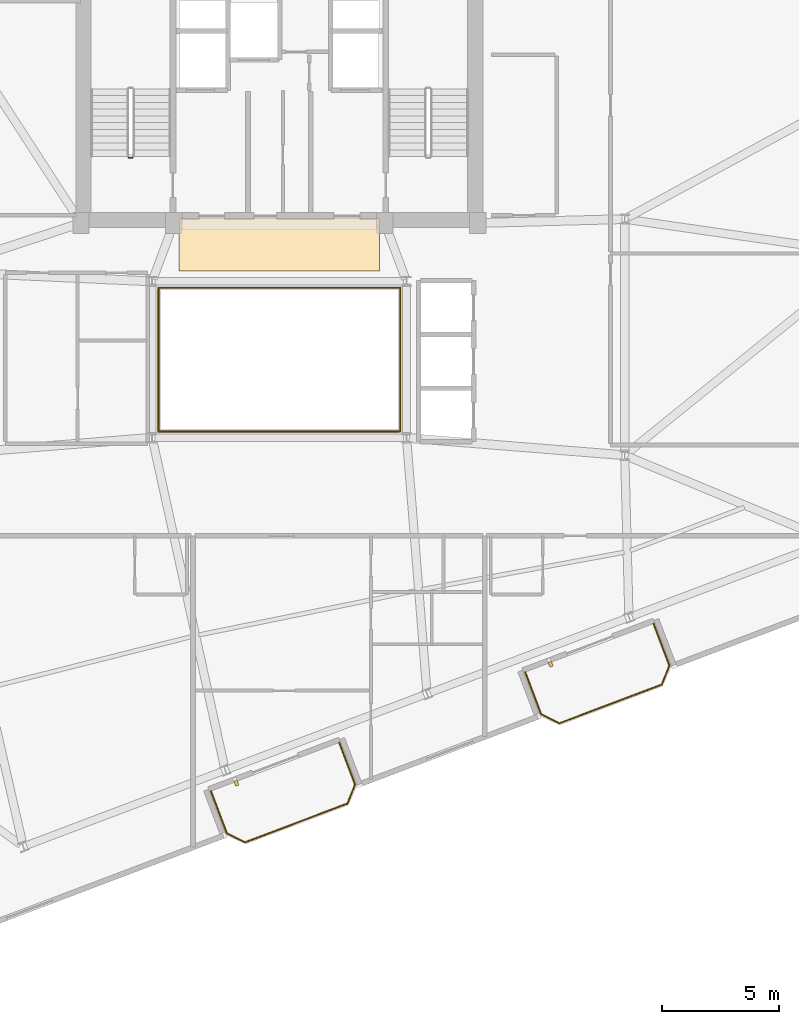
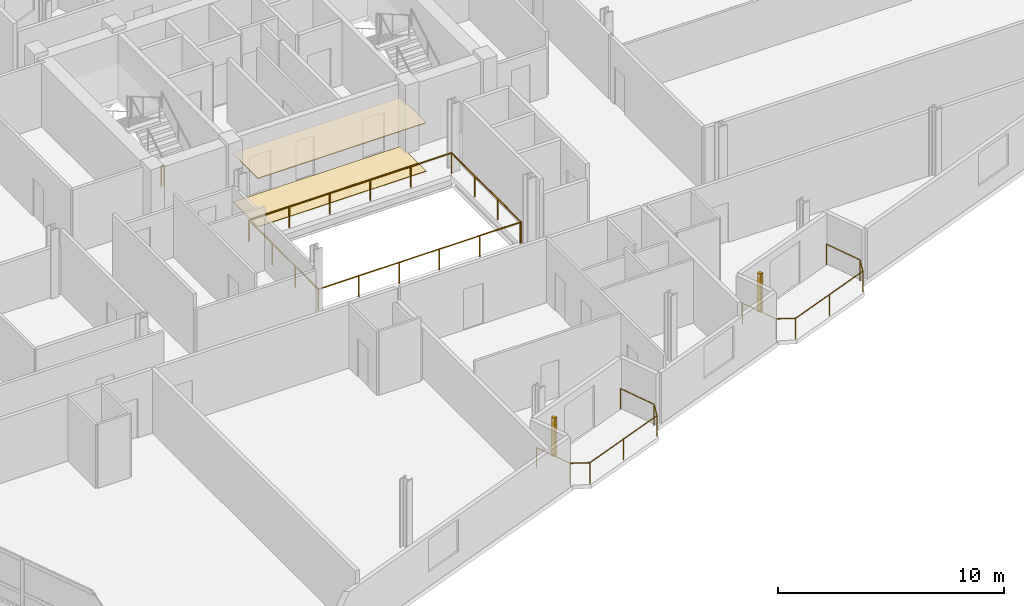
# One storey, part 18 of 19: 5 railings, 2 coverings, 2 shading devices.
"""IFC4 building model written with IfcOpenShell, lengths in metres."""

from ifc_helpers import new_model, si_unit, direction, frame, origin, origin_2d, place, context, subcontext, project, spatial, rectangle, circle, extrude, source, transform, mapped, material, layer, layer_set, type_object, element, save


model = new_model("IFC4")

# Units and contexts
model_context = context("Model", 3, precision=1e-05, world=origin(), true_north=direction((0.0, 1.0)))
body_context = subcontext(model_context, "Body", "Model", "MODEL_VIEW")
ifc_project = project(units=[si_unit("LENGTHUNIT", "METRE"), si_unit("AREAUNIT", "SQUARE_METRE"), si_unit("VOLUMEUNIT", "CUBIC_METRE"), si_unit("PLANEANGLEUNIT", "RADIAN"), si_unit("MASSUNIT", "GRAM", prefix="KILO")], contexts=[model_context])

# Site, building, storey
site_placement = place(None, origin())
site = spatial("IfcSite", under=ifc_project, at=site_placement, CompositionType="ELEMENT")
building_placement = place(site_placement, origin())
building = spatial("IfcBuilding", under=site, at=building_placement, Name="Varnelok Gate Tower", CompositionType="ELEMENT")
storey_placement = place(building_placement, frame((0.0, 0.0, 231.199951171875)))
storey = spatial("IfcBuildingStorey", under=building, at=storey_placement, Name="L59", CompositionType="ELEMENT", Elevation=231.199951171875)

# Railings
ifc_material_1 = material(Name="Tempered Laminated Balustrade Glass", Category="glass")
railing_type_1 = type_object("IfcRailingType", Name="RL-ATR-GUARD1150", PredefinedType="GUARDRAIL", material=ifc_material_1)
railing_1_placement = place(storey_placement, frame((34.02001953125, 25.929931640625, 0.0)))
element("IfcRailing", 1, at=railing_1_placement, inside=storey, type_object=railing_type_1, Name="L59 Internal Atrium South-West Guardrail", PredefinedType="GUARDRAIL", context=body_context, shape_type="SweptSolid", body=[
    extrude(circle(Radius=0.02392578125, at=origin_2d()), frame((0.0, 0.0, 1.1259765625), z_axis=(0.0, -1.0, 0.0), x_axis=(1.0, 0.0, 0.0)), (0.0, 0.0, 1.0), 6.10986328125),
    extrude(circle(Radius=0.02392578125, at=origin_2d()), frame((0.0, -6.10986328125, 1.1259765625), z_axis=(1.0, 0.0, 0.0), x_axis=(0.0, 1.0, 0.0)), (0.0, 0.0, 1.0), 10.31005859375),
    extrude(circle(Radius=0.02099609375, at=origin_2d()), origin(), (0.0, 0.0, 1.0), 1.101806640625),
    extrude(circle(Radius=0.02099609375, at=origin_2d()), frame((0.0, -2.03662109375, 0.0)), (0.0, 0.0, 1.0), 1.101806640625),
    extrude(circle(Radius=0.02099609375, at=origin_2d()), frame((0.0, -4.0732421875, 0.0)), (0.0, 0.0, 1.0), 1.101806640625),
    extrude(circle(Radius=0.02099609375, at=origin_2d()), frame((0.0, -6.10986328125, 0.0)), (0.0, 0.0, 1.0), 1.101806640625),
    extrude(circle(Radius=0.02099609375, at=origin_2d()), frame((2.06201171875, -6.10986328125, 0.0)), (0.0, 0.0, 1.0), 1.101806640625),
    extrude(circle(Radius=0.02099609375, at=origin_2d()), frame((4.1240234375, -6.10986328125, 0.0)), (0.0, 0.0, 1.0), 1.101806640625),
    extrude(circle(Radius=0.02099609375, at=origin_2d()), frame((6.18603515625, -6.10986328125, 0.0)), (0.0, 0.0, 1.0), 1.101806640625),
    extrude(circle(Radius=0.02099609375, at=origin_2d()), frame((8.248046875, -6.10986328125, 0.0)), (0.0, 0.0, 1.0), 1.101806640625),
    extrude(circle(Radius=0.02099609375, at=origin_2d()), frame((10.31005859375, -6.10986328125, 0.0)), (0.0, 0.0, 1.0), 1.101806640625),
])
railing_2_placement = place(storey_placement, frame((44.3798828125, 19.820068359375, 0.0)))
element("IfcRailing", 2, at=railing_2_placement, inside=storey, type_object=railing_type_1, Name="L59 Internal Atrium North-East Guardrail", PredefinedType="GUARDRAIL", context=body_context, shape_type="SweptSolid", body=[
    extrude(circle(Radius=0.02392578125, at=origin_2d()), frame((0.0, 0.0, 1.1259765625), z_axis=(0.0, 1.0, 0.0), x_axis=(-1.0, 0.0, 0.0)), (0.0, 0.0, 1.0), 6.159912109375),
    extrude(circle(Radius=0.02392578125, at=origin_2d()), frame((0.0, 6.159912109375, 1.1259765625), z_axis=(-1.0, 0.0, 0.0), x_axis=(0.0, -1.0, 0.0)), (0.0, 0.0, 1.0), 10.35986328125),
    extrude(circle(Radius=0.02099609375, at=origin_2d()), origin(), (0.0, 0.0, 1.0), 1.101806640625),
    extrude(circle(Radius=0.02099609375, at=origin_2d()), frame((0.0, 2.05322265625, 0.0)), (0.0, 0.0, 1.0), 1.101806640625),
    extrude(circle(Radius=0.02099609375, at=origin_2d()), frame((0.0, 4.106689453125, 0.0)), (0.0, 0.0, 1.0), 1.101806640625),
    extrude(circle(Radius=0.02099609375, at=origin_2d()), frame((0.0, 6.159912109375, 0.0)), (0.0, 0.0, 1.0), 1.101806640625),
    extrude(circle(Radius=0.02099609375, at=origin_2d()), frame((-2.072021484375, 6.159912109375, 0.0)), (0.0, 0.0, 1.0), 1.101806640625),
    extrude(circle(Radius=0.02099609375, at=origin_2d()), frame((-4.14404296875, 6.159912109375, 0.0)), (0.0, 0.0, 1.0), 1.101806640625),
    extrude(circle(Radius=0.02099609375, at=origin_2d()), frame((-6.2158203125, 6.159912109375, 0.0)), (0.0, 0.0, 1.0), 1.101806640625),
    extrude(circle(Radius=0.02099609375, at=origin_2d()), frame((-8.287841796875, 6.159912109375, 0.0)), (0.0, 0.0, 1.0), 1.101806640625),
    extrude(circle(Radius=0.02099609375, at=origin_2d()), frame((-10.35986328125, 6.159912109375, 0.0)), (0.0, 0.0, 1.0), 1.101806640625),
])
ifc_material_2 = material(Name="Low-E Laminated Double Glazing IGU", Category="glass")
railing_type_2 = type_object("IfcRailingType", Name="RL-BALC-1150", PredefinedType="BALUSTRADE", material=ifc_material_2)
railing_3_placement = place(storey_placement, frame((36.26708984375, 4.408203125, 0.0)))
element("IfcRailing", 3, at=railing_3_placement, inside=storey, type_object=railing_type_2, Name="L59 South Terrace Balustrade 1", PredefinedType="BALUSTRADE", context=body_context, shape_type="SweptSolid", body=[
    extrude(circle(Radius=0.02392578125, at=origin_2d()), frame((0.0, 0.0, 1.1259765625), z_axis=(0.354006333352, -0.935243025073, 0.0), x_axis=(0.935243025073, 0.354006333352, 0.0)), (0.0, 0.0, 1.0), 1.919921875),
    extrude(circle(Radius=0.02392578125, at=origin_2d()), frame((0.6796875, -1.795654296875, 1.1259765625), z_axis=(0.89078254773, -0.454429810487, 0.0), x_axis=(0.454429810487, 0.89078254773, 0.0)), (0.0, 0.0, 1.0), 0.8779296875),
    extrude(circle(Radius=0.02392578125, at=origin_2d()), frame((1.461669921875, -2.194580078125, 1.1259765625), z_axis=(0.935223045203, 0.354059113314, 0.0), x_axis=(-0.354059113314, 0.935223045203, 0.0)), (0.0, 0.0, 1.0), 4.699951171875),
    extrude(circle(Radius=0.02392578125, at=origin_2d()), frame((5.857177734375, -0.530517578125, 1.1259765625), z_axis=(0.366254584666, 0.930514685113, 0.0), x_axis=(-0.930514685113, 0.366254584666, 0.0)), (0.0, 0.0, 1.0), 0.8779296875),
    extrude(circle(Radius=0.02392578125, at=origin_2d()), frame((6.1787109375, 0.286376953125, 1.1259765625), z_axis=(-0.354048437536, 0.935227086797, 0.0), x_axis=(-0.935227086797, -0.354048437536, 0.0)), (0.0, 0.0, 1.0), 1.919677734375),
    extrude(circle(Radius=0.02099609375, at=origin_2d()), origin(), (0.0, 0.0, 1.0), 1.101806640625),
    extrude(circle(Radius=0.02099609375, at=origin_2d()), frame((0.6796875, -1.795654296875, 0.0)), (0.0, 0.0, 1.0), 1.101806640625),
    extrude(circle(Radius=0.02099609375, at=origin_2d()), frame((1.461669921875, -2.194580078125, 0.0)), (0.0, 0.0, 1.0), 1.101806640625),
    extrude(circle(Radius=0.02099609375, at=origin_2d()), frame((3.659423828125, -1.362548828125, 0.0)), (0.0, 0.0, 1.0), 1.101806640625),
    extrude(circle(Radius=0.02099609375, at=origin_2d()), frame((5.857177734375, -0.530517578125, 0.0)), (0.0, 0.0, 1.0), 1.101806640625),
    extrude(circle(Radius=0.02099609375, at=origin_2d()), frame((6.1787109375, 0.286376953125, 0.0)), (0.0, 0.0, 1.0), 1.101806640625),
    extrude(circle(Radius=0.02099609375, at=origin_2d()), frame((5.4990234375, 2.081787109375, 0.0)), (0.0, 0.0, 1.0), 1.101806640625),
])
railing_4_placement = place(storey_placement, frame((49.734130859375, 9.506591796875, 0.0)))
element("IfcRailing", 4, at=railing_4_placement, inside=storey, type_object=railing_type_2, Name="L59 South Terrace Balustrade 2", PredefinedType="BALUSTRADE", context=body_context, shape_type="SweptSolid", body=[
    extrude(circle(Radius=0.02392578125, at=origin_2d()), frame((0.0, 0.0, 1.1259765625), z_axis=(0.354159661475, -0.935184973245, 0.0), x_axis=(0.935184973245, 0.354159661475, 0.0)), (0.0, 0.0, 1.0), 1.919921875),
    extrude(circle(Radius=0.02392578125, at=origin_2d()), frame((0.679931640625, -1.79541015625, 1.1259765625), z_axis=(0.890612455555, -0.454763074589, 0.0), x_axis=(0.454763074589, 0.890612455555, 0.0)), (0.0, 0.0, 1.0), 0.877685546875),
    extrude(circle(Radius=0.02392578125, at=origin_2d()), frame((1.461669921875, -2.194580078125, 1.1259765625), z_axis=(0.935212356898, 0.354087344458, 0.0), x_axis=(-0.354087344458, 0.935212356898, 0.0)), (0.0, 0.0, 1.0), 4.7001953125),
    extrude(circle(Radius=0.02392578125, at=origin_2d()), frame((5.857421875, -0.5302734375, 1.1259765625), z_axis=(0.366349384437, 0.930477365938, 0.0), x_axis=(-0.930477365938, 0.366349384437, 0.0)), (0.0, 0.0, 1.0), 0.877685546875),
    extrude(circle(Radius=0.02392578125, at=origin_2d()), frame((6.178955078125, 0.286376953125, 1.1259765625), z_axis=(-0.354006333352, 0.935243025073, 0.0), x_axis=(-0.935243025073, -0.354006333352, 0.0)), (0.0, 0.0, 1.0), 1.919921875),
    extrude(circle(Radius=0.02099609375, at=origin_2d()), origin(), (0.0, 0.0, 1.0), 1.101806640625),
    extrude(circle(Radius=0.02099609375, at=origin_2d()), frame((0.679931640625, -1.79541015625, 0.0)), (0.0, 0.0, 1.0), 1.101806640625),
    extrude(circle(Radius=0.02099609375, at=origin_2d()), frame((1.461669921875, -2.194580078125, 0.0)), (0.0, 0.0, 1.0), 1.101806640625),
    extrude(circle(Radius=0.02099609375, at=origin_2d()), frame((3.65966796875, -1.3623046875, 0.0)), (0.0, 0.0, 1.0), 1.101806640625),
    extrude(circle(Radius=0.02099609375, at=origin_2d()), frame((5.857421875, -0.5302734375, 0.0)), (0.0, 0.0, 1.0), 1.101806640625),
    extrude(circle(Radius=0.02099609375, at=origin_2d()), frame((6.178955078125, 0.286376953125, 0.0)), (0.0, 0.0, 1.0), 1.101806640625),
    extrude(circle(Radius=0.02099609375, at=origin_2d()), frame((5.499267578125, 2.08203125, 0.0)), (0.0, 0.0, 1.0), 1.101806640625),
])
ifc_material_3 = material(Name="Galvanized Steel Grade S350GD", Category="steel")
railing_type_3 = type_object("IfcRailingType", Name="RL-STAIR-GUARD1120", PredefinedType="GUARDRAIL", material=ifc_material_3)
railing_5_placement = place(storey_placement, frame((32.89990234375, 31.550048828125, 0.0)))
element("IfcRailing", 5, at=railing_5_placement, inside=storey, type_object=railing_type_3, Name="L59 ST-1 stair guard 4", PredefinedType="GUARDRAIL", context=body_context, shape_type="SweptSolid", body=[
    extrude(circle(Radius=0.02392578125, at=origin_2d()), frame((0.0, 0.0, 1.09619140625), z_axis=(-1.0, 0.0, 0.0), x_axis=(0.0, -1.0, 0.0)), (0.0, 0.0, 1.0), 0.14990234375),
    extrude(circle(Radius=0.02099609375, at=origin_2d()), origin(), (0.0, 0.0, 1.0), 1.072021484375),
    extrude(circle(Radius=0.02099609375, at=origin_2d()), frame((-0.14990234375, 0.0, 0.0)), (0.0, 0.0, 1.0), 1.072021484375),
])

# Shading devices
ifc_material_4 = material(Name="Glazed Architectural Terracotta Ceramic", Category="masonry")
shading_device_type = type_object("IfcShadingDeviceType", Name="SHD-TERRA-FIN", PredefinedType="USERDEFINED", material=ifc_material_4)
shared_shape_1 = source(origin(), body_context, "Body", "SweptSolid", [
    extrude(rectangle(XDim=0.139892578125, YDim=0.219970703125, at=origin_2d()), origin(), (0.0, 0.0, 1.0), 2.10009765625),
])
for number, where, z_axis, x_axis, name in (
    (6, (37.35791015625, 4.746337890625, 0.10009765625), (0.0, 0.0, 1.0), (0.935221751401, 0.354062530786, 0.0), "L59 Terracotta Ceramic Baguette Sunscreen 1.1"),
    (7, (50.8251953125, 9.844970703125, 0.10009765625), (0.0, 0.0, 1.0), (0.935221751401, 0.354062530786, 0.0), "L59 Terracotta Ceramic Baguette Sunscreen 2.1"),
):
    element("IfcShadingDevice", number, at=place(storey_placement, frame(where, z_axis=z_axis, x_axis=x_axis)), inside=storey, type_object=shading_device_type, Name=name, ObjectType="BAGUETTE", PredefinedType="USERDEFINED", context=body_context, shape_type="MappedRepresentation", body=[
        mapped(shared_shape_1, transform((0.0, 0.0, 0.0), scale=1.0)),
    ])

# Coverings
ifc_material_5 = material(Name="Honed Travertine Stone Flooring", Category="masonry")
ifc_layer_1 = layer(ifc_material_5, 0.02490234375)
ifc_layer_set_1 = layer_set([ifc_layer_1], Name="Honed Travertine Stone Flooring")
covering_type_1 = type_object("IfcCoveringType", Name="COV-FLOR-STONE", PredefinedType="FLOORING", material=ifc_layer_set_1)
shared_shape_2 = source(origin(), body_context, "Body", "SweptSolid", [
    extrude(rectangle(XDim=8.60009765625, YDim=2.219970703125, at=origin_2d()), origin(), (0.0, 0.0, 1.0), 0.02490234375),
])
covering_1_placement = place(storey_placement, frame((39.199951171875, 27.800048828125, 0.0), z_axis=(0.0, 0.0, 1.0), x_axis=(1.0, 0.0, 0.0)))
element("IfcCovering", 8, at=covering_1_placement, inside=storey, type_object=covering_type_1, Name="L59 Core Gallery Stone Flooring", PredefinedType="FLOORING", context=body_context, shape_type="MappedRepresentation", body=[
    mapped(shared_shape_2, transform((0.0, 0.0, 0.0), scale=1.0)),
])
ifc_material_6 = material(Name="Mineral Fiber Acoustic Ceiling Tile")
ifc_layer_2 = layer(ifc_material_6, 0.0400390625)
ifc_layer_set_2 = layer_set([ifc_layer_2], Name="Mineral Fiber Acoustic Ceiling Tile")
covering_type_2 = type_object("IfcCoveringType", Name="COV-CEIL-ACOUST", PredefinedType="CEILING", material=ifc_layer_set_2)
shared_shape_3 = source(origin(), body_context, "Body", "SweptSolid", [
    extrude(rectangle(XDim=8.60009765625, YDim=2.239990234375, at=origin_2d()), origin(), (0.0, 0.0, 1.0), 0.0400390625),
])
covering_2_placement = place(storey_placement, frame((39.199951171875, 27.820068359375, 2.60009765625), z_axis=(0.0, 0.0, 1.0), x_axis=(1.0, 0.0, 0.0)))
element("IfcCovering", 9, at=covering_2_placement, inside=storey, type_object=covering_type_2, Name="L59 Core Gallery Acoustic Ceiling", PredefinedType="CEILING", context=body_context, shape_type="MappedRepresentation", body=[
    mapped(shared_shape_3, transform((0.0, 0.0, 0.0), scale=1.0)),
])

save(model, "model.ifc")
